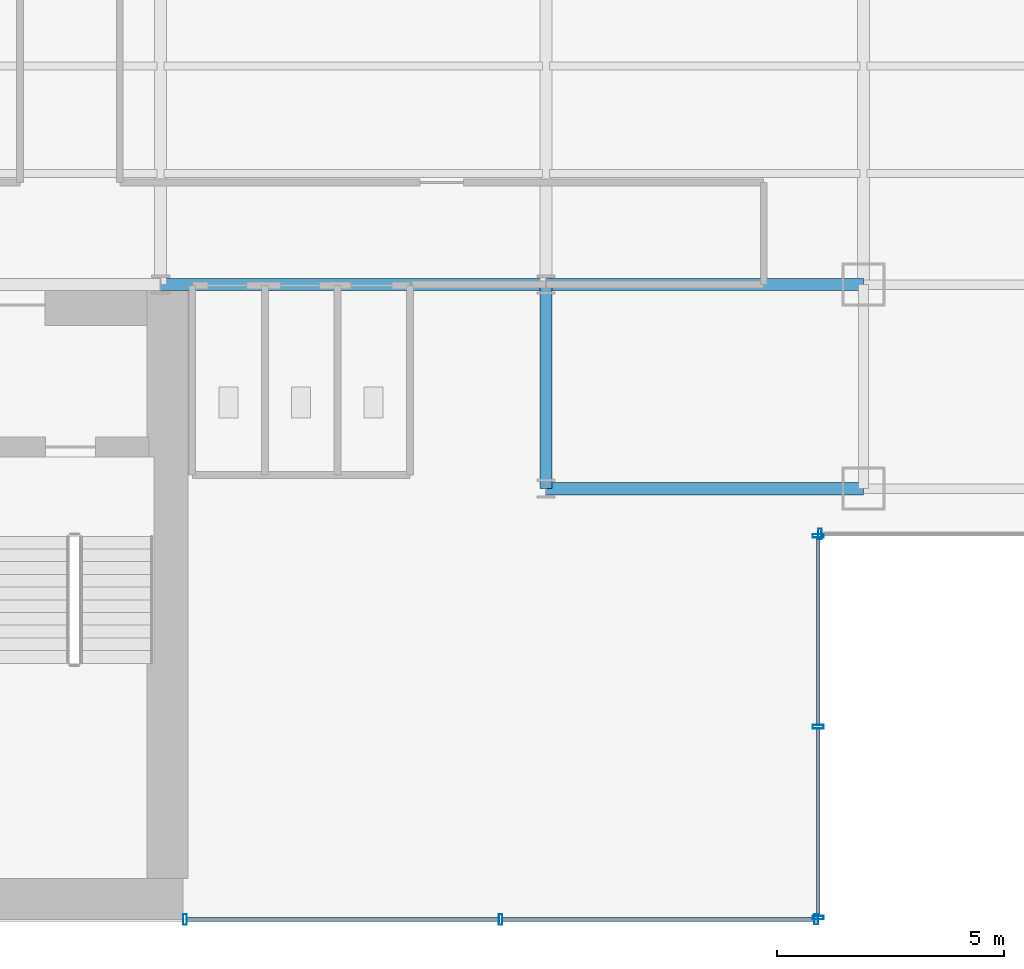
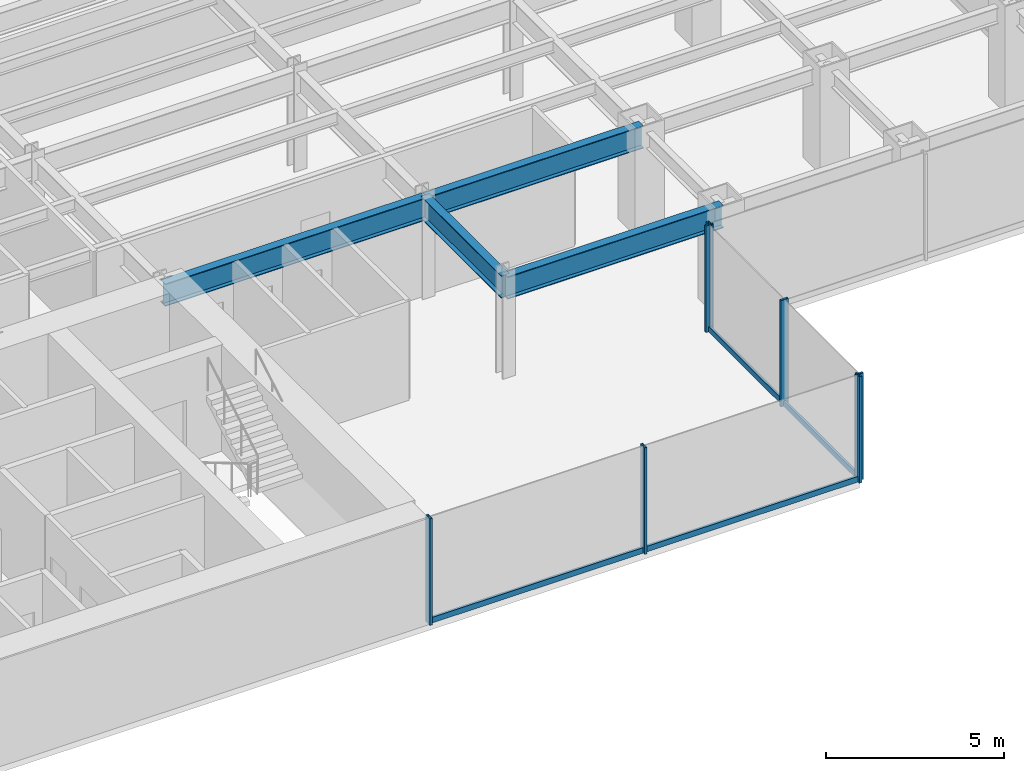
# One storey, part 6 of 23: 11 members, 4 beams, 3 elements without a shape of their own.
"""IFC4 building model written with IfcOpenShell, lengths in metres."""

import ifcopenshell
import ifcopenshell.guid

model = None  # the IFC model being written
_history = None  # IfcOwnerHistory: only IFC2X3 demands one
_inside = {}  # id of a spatial element -> (the spatial element, [elements in it])
_under = {}  # id of a project, library or spatial element -> (it, [spatial elements below it])
_declared = {}  # id of a project -> (the project, [libraries it declares])
_typed = {}  # id of a type object -> (the type object, [elements of that type])
_made_of = {}  # id of a material, layer set ... -> (it, [elements and type objects made of it])


def new_model(schema):
    """Start an empty IFC model of exactly this schema.

    Asked for "IFC4X3", IfcOpenShell would pick the latest addendum, in which some entities
    have other attributes; the version numbers below select the first issue.
    IFC2X3 requires an IfcOwnerHistory on every rooted entity: one is made here for all.
    """
    global model, _history
    if schema == "IFC4X3":
        model = ifcopenshell.file(schema_version=(4, 3, 0, 0))
    else:
        model = ifcopenshell.file(schema=schema)
    _inside.clear()
    _under.clear()
    _declared.clear()
    _typed.clear()
    _made_of.clear()
    _history = None
    if model.schema == "IFC2X3":
        org = make("IfcOrganization", Name="unknown")
        user = make(
            "IfcPersonAndOrganization",
            ThePerson=make("IfcPerson", FamilyName="unknown"),
            TheOrganization=org,
        )
        app = make(
            "IfcApplication",
            ApplicationDeveloper=org,
            Version="unknown",
            ApplicationFullName="unknown",
            ApplicationIdentifier="unknown",
        )
        _history = make(
            "IfcOwnerHistory",
            OwningUser=user,
            OwningApplication=app,
            ChangeAction="ADDED",
            CreationDate=0,
        )
    return model


def make(cls, **values):
    """One entity of the class cls with the attributes given. An attribute that is None is left unset."""
    return model.create_entity(
        cls, **{name: value for name, value in values.items() if value is not None}
    )


def rooted(cls, **values):
    """An entity with a GlobalId (a new one), such as an element, a storey or a relation."""
    return make(cls, GlobalId=ifcopenshell.guid.new(), OwnerHistory=_history, **values)


def si_unit(unit_type, name, prefix=None):
    """IfcSIUnit, for example si_unit("LENGTHUNIT", "METRE", prefix="MILLI")."""
    return make("IfcSIUnit", UnitType=unit_type, Prefix=prefix, Name=name)


def derived_unit(unit_type, elements):
    """IfcDerivedUnit: a product of units, each with its exponent."""
    return make(
        "IfcDerivedUnit",
        Elements=[
            make("IfcDerivedUnitElement", Unit=unit, Exponent=power)
            for unit, power in elements
        ],
        UnitType=unit_type,
    )


def assignment(units):
    """IfcUnitAssignment: the units of a project."""
    return None if units is None else make("IfcUnitAssignment", Units=units)


def point(xyz):
    """IfcCartesianPoint."""
    return None if xyz is None else make("IfcCartesianPoint", Coordinates=xyz)


def direction(xyz):
    """IfcDirection."""
    return None if xyz is None else make("IfcDirection", DirectionRatios=xyz)


def frame(location, z_axis=None, x_axis=None):
    """IfcAxis2Placement3D, a coordinate frame: its origin and axes. An axis left out is left unset."""
    return make(
        "IfcAxis2Placement3D",
        Location=point(location),
        Axis=direction(z_axis),
        RefDirection=direction(x_axis),
    )


def frame_2d(location, x_axis=None):
    """IfcAxis2Placement2D, a coordinate frame in the plane: its origin and x axis."""
    return make(
        "IfcAxis2Placement2D", Location=point(location), RefDirection=direction(x_axis)
    )


def origin():
    """The frame at (0, 0, 0) with its axes left unset."""
    return frame((0.0, 0.0, 0.0))


def origin_2d():
    """The frame at (0, 0) in the plane with its x axis left unset."""
    return frame_2d((0.0, 0.0))


def place(relative_to, where):
    """IfcLocalPlacement: puts the frame where relative to a parent placement (None: the world)."""
    return make(
        "IfcLocalPlacement", PlacementRelTo=relative_to, RelativePlacement=where
    )


def context(
    kind, dimensions, precision=None, world=None, true_north=None, identifier=None
):
    """IfcGeometricRepresentationContext, for example the 3D "Model" context."""
    return make(
        "IfcGeometricRepresentationContext",
        ContextIdentifier=identifier,
        ContextType=kind,
        CoordinateSpaceDimension=dimensions,
        Precision=precision,
        WorldCoordinateSystem=world,
        TrueNorth=true_north,
    )


def subcontext(parent, identifier, kind, view, scale=None):
    """IfcGeometricRepresentationSubContext, for example "Body" below "Model"."""
    return make(
        "IfcGeometricRepresentationSubContext",
        ContextIdentifier=identifier,
        ContextType=kind,
        ParentContext=parent,
        TargetScale=scale,
        TargetView=view,
    )


def project(units=None, contexts=None):
    """IfcProject with its units and contexts."""
    return rooted(
        "IfcProject",
        Name="project",
        RepresentationContexts=contexts,
        UnitsInContext=assignment(units),
    )


def spatial(cls, under=None, at=None, **own):
    """A site, building, storey or space (cls), placed at a placement, below another one or the project."""
    s = rooted(cls, ObjectPlacement=at, **own)
    if under is not None:
        _under.setdefault(under.id(), (under, []))[1].append(s)
    return s


def profile(cls, at=None, kind="AREA", **sizes):
    """A parametric profile (cls). Its sizes go by their IFC names, for example OverallWidth=200.0."""
    return make(cls, ProfileType=kind, Position=at, **sizes)


def hollow_rectangle(**sizes):
    """IfcRectangleHollowProfileDef."""
    return profile("IfcRectangleHollowProfileDef", **sizes)


def i_section(**sizes):
    """IfcIShapeProfileDef."""
    return profile("IfcIShapeProfileDef", **sizes)


def extrude(swept, where, along, depth):
    """IfcExtrudedAreaSolid: the profile swept, set in the frame where, extruded along a direction by depth."""
    return make(
        "IfcExtrudedAreaSolid",
        SweptArea=swept,
        Position=where,
        ExtrudedDirection=direction(along),
        Depth=depth,
    )


def shape(context_of_items, identifier, shape_type, items):
    """IfcShapeRepresentation: the items that make up one representation, for example the "Body"."""
    return make(
        "IfcShapeRepresentation",
        ContextOfItems=context_of_items,
        RepresentationIdentifier=identifier,
        RepresentationType=shape_type,
        Items=items,
    )


def source(mapping_origin, context_of_items, identifier, shape_type, items):
    """IfcRepresentationMap: a shape defined once, which mapped items show again and again."""
    return make(
        "IfcRepresentationMap",
        MappingOrigin=mapping_origin,
        MappedRepresentation=shape(context_of_items, identifier, shape_type, items),
    )


def transform(
    local_origin,
    x_axis=None,
    y_axis=None,
    z_axis=None,
    scale=None,
    scale2=None,
    scale3=None,
    uniform=True,
):
    """IfcCartesianTransformationOperator3D, or its non-uniform kind. x_axis, y_axis, z_axis: its Axis1, 2, 3."""
    if uniform:
        return make(
            "IfcCartesianTransformationOperator3D",
            Axis1=direction(x_axis),
            Axis2=direction(y_axis),
            LocalOrigin=point(local_origin),
            Scale=scale,
            Axis3=direction(z_axis),
        )
    return make(
        "IfcCartesianTransformationOperator3DnonUniform",
        Axis1=direction(x_axis),
        Axis2=direction(y_axis),
        LocalOrigin=point(local_origin),
        Scale=scale,
        Axis3=direction(z_axis),
        Scale2=scale2,
        Scale3=scale3,
    )


def mapped(mapping_source, mapping_target):
    """IfcMappedItem: shows the shape of a source again, moved by a transform."""
    return make(
        "IfcMappedItem", MappingSource=mapping_source, MappingTarget=mapping_target
    )


def material(Name=None, Category=None):
    """IfcMaterial."""
    return make("IfcMaterial", Name=Name, Category=Category)


def material_profile(
    of_material, cross_section, Name=None, Category=None, Priority=None
):
    """IfcMaterialProfile: a cross section and its material."""
    return make(
        "IfcMaterialProfile",
        Name=Name,
        Material=of_material,
        Profile=cross_section,
        Priority=Priority,
        Category=Category,
    )


def profile_set(profiles, Name=None, composite=None):
    """IfcMaterialProfileSet."""
    return make(
        "IfcMaterialProfileSet",
        Name=Name,
        MaterialProfiles=profiles,
        CompositeProfile=composite,
    )


def made_of(thing, what):
    """Note that an element or type object is made of a material, layer set ...; save() writes the relation."""
    if what is not None:
        _made_of.setdefault(what.id(), (what, []))[1].append(thing)
    return thing


def type_object(cls, material=None, **own):
    """A type object (cls), such as IfcWallType, which elements share."""
    return made_of(rooted(cls, **own), material)


def element(
    cls,
    number,
    at=None,
    inside=None,
    cuts=None,
    type_object=None,
    material=None,
    context=None,
    identifier="Body",
    shape_type=None,
    held_by="IfcProductDefinitionShape",
    body=None,
    shapes=None,
    **own,
):
    """One element of the class cls, such as IfcWall. Its Tag is "e" and its number.

    at: its placement. inside: the storey or other place that contains it. cuts: it is an
    opening in that element (IfcRelVoidsElement). A single representation is given by context,
    identifier, shape_type and body (its items); several are given by shapes. held_by: the class
    of the entity that holds the representations. save() writes the other relations.
    """
    e = rooted(cls, Tag="e%d" % number, ObjectPlacement=at, **own)
    if body is not None:
        shapes = [shape(context, identifier, shape_type, body)]
    if shapes is not None:
        e.Representation = make(held_by, Representations=shapes)
    if inside is not None:
        _inside.setdefault(inside.id(), (inside, []))[1].append(e)
    if cuts is not None:
        rooted(
            "IfcRelVoidsElement", RelatingBuildingElement=cuts, RelatedOpeningElement=e
        )
    if type_object is not None:
        _typed.setdefault(type_object.id(), (type_object, []))[1].append(e)
    return made_of(e, material)


def aggregate(whole, parts):
    """IfcRelAggregates: a whole, such as a stair, and the parts it consists of."""
    return rooted("IfcRelAggregates", RelatingObject=whole, RelatedObjects=parts)


def save(model, path):
    """Write the relations noted so far, then the file.

    IfcRelAggregates (storeys below a building ...), IfcRelContainedInSpatialStructure (elements
    in a storey), IfcRelDefinesByType, IfcRelAssociatesMaterial and IfcRelDeclares: one each for
    every whole, place, type object, material and project.
    """
    for whole, parts in _under.values():
        aggregate(whole, parts)
    for where, things in _inside.values():
        rooted(
            "IfcRelContainedInSpatialStructure",
            RelatedElements=things,
            RelatingStructure=where,
        )
    for kind, things in _typed.values():
        rooted("IfcRelDefinesByType", RelatedObjects=things, RelatingType=kind)
    for what, things in _made_of.values():
        rooted("IfcRelAssociatesMaterial", RelatedObjects=things, RelatingMaterial=what)
    for by, libraries in _declared.values():
        rooted("IfcRelDeclares", RelatingContext=by, RelatedDefinitions=libraries)
    model.write(path)


model = new_model("IFC4")

# Units and contexts
model_context = context("Model", 3, precision=1e-05, world=origin(), true_north=direction((0.0, 1.0)))
body_context = subcontext(model_context, "Body", "Model", "MODEL_VIEW")
ifc_project = project(units=[si_unit("LENGTHUNIT", "METRE"), si_unit("AREAUNIT", "SQUARE_METRE"), si_unit("VOLUMEUNIT", "CUBIC_METRE"), si_unit("PLANEANGLEUNIT", "RADIAN"), si_unit("MASSUNIT", "GRAM", prefix="KILO"), derived_unit("THERMALTRANSMITTANCEUNIT", [(si_unit("POWERUNIT", "WATT"), 1), (si_unit("LENGTHUNIT", "METRE"), -2), (si_unit("THERMODYNAMICTEMPERATUREUNIT", "KELVIN"), -1)])], contexts=[model_context])

# Site, building, storey
site_placement = place(None, origin())
site = spatial("IfcSite", under=ifc_project, at=site_placement, CompositionType="ELEMENT")
building_placement = place(site_placement, origin())
building = spatial("IfcBuilding", under=site, at=building_placement, Name="Skarnbrae Concourse Arena and Tower", CompositionType="ELEMENT")
storey_placement = place(building_placement, frame((0.0, 0.0, 43.449951171875)))
storey = spatial("IfcBuildingStorey", under=building, at=storey_placement, Name="L09", CompositionType="ELEMENT", Elevation=43.449951171875)

# Beams
ifc_material_1 = material(Name="Steel CSA G40.21 350W", Category="steel")
ifc_material_profile_1 = material_profile(ifc_material_1, i_section(OverallWidth=0.26806640625, OverallDepth=0.77001953125, WebThickness=0.015625, FlangeThickness=0.025390625, at=origin_2d()), Name="W760X196")
ifc_profile_set_1 = profile_set([ifc_material_profile_1], Name="Steel CSA G40.21 350W")
beam_type = type_object("IfcBeamType", Name="BM-GIRD-W760X196", PredefinedType="BEAM", material=ifc_profile_set_1)
shared_shape_1 = source(origin(), body_context, "Body", "SweptSolid", [
    extrude(i_section(OverallWidth=0.26806640625, OverallDepth=0.77001953125, WebThickness=0.015625, FlangeThickness=0.025390625, at=origin_2d()), origin(), (0.0, 0.0, 1.0), 7.0),
])
for number, where, z_axis, x_axis, name in (
    (1, (42.0, 9.5, 3.01513671875), (1.0, 0.0, 0.0), (0.0, 1.0, 0.0), "L09 Primary E-W girder Y9.5-2"),
    (2, (42.0, 14.0, 3.01513671875), (1.0, 0.0, 0.0), (0.0, 1.0, 0.0), "L09 Primary E-W girder Y14.0-7"),
):
    element("IfcBeam", number, at=place(storey_placement, frame(where, z_axis=z_axis, x_axis=x_axis)), inside=storey, type_object=beam_type, Name=name, PredefinedType="BEAM", context=body_context, shape_type="MappedRepresentation", body=[
        mapped(shared_shape_1, transform((0.0, 0.0, 0.0))),
    ])
shared_shape_2 = source(origin(), body_context, "Body", "SweptSolid", [
    extrude(i_section(OverallWidth=0.26806640625, OverallDepth=0.77001953125, WebThickness=0.015625, FlangeThickness=0.025390625, at=origin_2d()), origin(), (0.0, 0.0, 1.0), 8.5),
])
beam_1_placement = place(storey_placement, frame((33.5, 14.0, 3.01513671875), z_axis=(1.0, 0.0, 0.0), x_axis=(0.0, 1.0, 0.0)))
element("IfcBeam", 3, at=beam_1_placement, inside=storey, type_object=beam_type, Name="L09 Primary E-W girder Y14.0-6", PredefinedType="BEAM", context=body_context, shape_type="MappedRepresentation", body=[
    mapped(shared_shape_2, transform((0.0, 0.0, 0.0))),
])
shared_shape_3 = source(origin(), body_context, "Body", "SweptSolid", [
    extrude(i_section(OverallWidth=0.26806640625, OverallDepth=0.77001953125, WebThickness=0.015625, FlangeThickness=0.025390625, at=origin_2d()), origin(), (0.0, 0.0, 1.0), 4.5),
])
beam_2_placement = place(storey_placement, frame((42.0, 9.5, 3.01513671875), z_axis=(0.0, 1.0, 0.0), x_axis=(-1.0, 0.0, 0.0)))
element("IfcBeam", 4, at=beam_2_placement, inside=storey, type_object=beam_type, Name="L09 Primary N-S girder X42.0-1", PredefinedType="BEAM", context=body_context, shape_type="MappedRepresentation", body=[
    mapped(shared_shape_3, transform((0.0, 0.0, 0.0))),
])

# Curtain wall, members
ifc_material_2 = material(Name="Bronze anodised aluminium 6063-T6", Category="aluminium")
curtain_wall_type = type_object("IfcCurtainWallType", Name="CW-SYS-02-LOWZONE", PredefinedType="USERDEFINED", material=ifc_material_2)
curtain_wall_1_placement = place(storey_placement, origin())
curtain_wall_1 = element("IfcCurtainWall", 5, at=curtain_wall_1_placement, inside=storey, type_object=curtain_wall_type, Name="L09 Unitised curtain wall CW-L09-SE-SPINE", ObjectType="UNITISED CURTAIN WALL", PredefinedType="USERDEFINED")
ifc_material_profile_2 = material_profile(ifc_material_2, hollow_rectangle(XDim=0.080078125, YDim=0.18994140625, WallThickness=0.0048828125, at=origin_2d()), Name="ALU-TRAN-80X190")
ifc_profile_set_2 = profile_set([ifc_material_profile_2], Name="Bronze anodised aluminium 6063-T6")
member_type_1 = type_object("IfcMemberType", Name="CWT-CW-02", PredefinedType="USERDEFINED", material=ifc_profile_set_2)
shared_shape_4 = source(origin(), body_context, "Body", "SweptSolid", [
    extrude(hollow_rectangle(XDim=0.080078125, YDim=0.18994140625, WallThickness=0.0048828125, at=origin_2d()), origin(), (0.0, 0.0, 1.0), 6.8798828125),
])
member_1_placement = place(storey_placement, frame((34.080078125, 0.0, 0.094970703125), z_axis=(1.0, 0.0, 0.0), x_axis=(0.0, 1.0, 0.0)))
member_1 = element("IfcMember", 6, at=member_1_placement, type_object=member_type_1, Name="CW-L09-SE-SPINE Transom 1", ObjectType="TRANSOM", PredefinedType="USERDEFINED", context=body_context, shape_type="MappedRepresentation", body=[
    mapped(shared_shape_4, transform((0.0, 0.0, 0.0))),
])
member_2_placement = place(storey_placement, frame((41.0400390625, 0.0, 0.094970703125), z_axis=(1.0, 0.0, 0.0), x_axis=(0.0, 1.0, 0.0)))
member_2 = element("IfcMember", 7, at=member_2_placement, type_object=member_type_1, Name="CW-L09-SE-SPINE Transom 2", ObjectType="TRANSOM", PredefinedType="USERDEFINED", context=body_context, shape_type="MappedRepresentation", body=[
    mapped(shared_shape_4, transform((0.0, 0.0, 0.0))),
])

curtain_wall_2_placement = place(storey_placement, origin())
curtain_wall_2 = element("IfcCurtainWall", 8, at=curtain_wall_2_placement, inside=storey, type_object=curtain_wall_type, Name="L09 Unitised curtain wall CW-L09-E02", ObjectType="UNITISED CURTAIN WALL", PredefinedType="USERDEFINED")
shared_shape_5 = source(origin(), body_context, "Body", "SweptSolid", [
    extrude(hollow_rectangle(XDim=0.080078125, YDim=0.18994140625, WallThickness=0.0048828125, at=origin_2d()), origin(), (0.0, 0.0, 1.0), 4.1298828125),
])
member_3_placement = place(storey_placement, frame((48.0, 0.080078125, 0.094970703125), z_axis=(0.0, 1.0, 0.0), x_axis=(-1.0, 0.0, 0.0)))
member_3 = element("IfcMember", 9, at=member_3_placement, type_object=member_type_1, Name="CW-L09-E02 Transom 1", ObjectType="TRANSOM", PredefinedType="USERDEFINED", context=body_context, shape_type="MappedRepresentation", body=[
    mapped(shared_shape_5, transform((0.0, 0.0, 0.0))),
])
member_4_placement = place(storey_placement, frame((48.0, 4.2900390625, 0.094970703125), z_axis=(0.0, 1.0, 0.0), x_axis=(-1.0, 0.0, 0.0)))
member_4 = element("IfcMember", 10, at=member_4_placement, type_object=member_type_1, Name="CW-L09-E02 Transom 2", ObjectType="TRANSOM", PredefinedType="USERDEFINED", context=body_context, shape_type="MappedRepresentation", body=[
    mapped(shared_shape_5, transform((0.0, 0.0, 0.0))),
])

# Member
ifc_material_profile_3 = material_profile(ifc_material_2, hollow_rectangle(XDim=0.080078125, YDim=0.239990234375, WallThickness=0.0048828125, at=origin_2d()), Name="ALU-MULL-80X240")
ifc_profile_set_3 = profile_set([ifc_material_profile_3], Name="Bronze anodised aluminium 6063-T6")
member_type_2 = type_object("IfcMemberType", Name="CWM-CW-02", PredefinedType="MULLION", material=ifc_profile_set_3)
shared_shape_6 = source(origin(), body_context, "Body", "SweptSolid", [
    extrude(hollow_rectangle(XDim=0.080078125, YDim=0.239990234375, WallThickness=0.0048828125, at=origin_2d()), origin(), (0.0, 0.0, 1.0), 3.650146484375),
])
member_5_placement = place(storey_placement, frame((34.0400390625, 0.0, 0.0), z_axis=(0.0, 0.0, 1.0), x_axis=(1.0, 0.0, 0.0)))
member_5 = element("IfcMember", 11, at=member_5_placement, type_object=member_type_2, Name="CW-L09-SE-SPINE Mullion 1", PredefinedType="MULLION", context=body_context, shape_type="MappedRepresentation", body=[
    mapped(shared_shape_6, transform((0.0, 0.0, 0.0))),
])

member_6_placement = place(storey_placement, frame((41.0, 0.0, 0.0), z_axis=(0.0, 0.0, 1.0), x_axis=(1.0, 0.0, 0.0)))
member_6 = element("IfcMember", 12, at=member_6_placement, type_object=member_type_2, Name="CW-L09-SE-SPINE Mullion 2", PredefinedType="MULLION", context=body_context, shape_type="MappedRepresentation", body=[
    mapped(shared_shape_6, transform((0.0, 0.0, 0.0))),
])

member_7_placement = place(storey_placement, frame((47.9599609375, 0.0, 0.0), z_axis=(0.0, 0.0, 1.0), x_axis=(1.0, 0.0, 0.0)))
member_7 = element("IfcMember", 13, at=member_7_placement, type_object=member_type_2, Name="CW-L09-SE-SPINE Mullion 3", PredefinedType="MULLION", context=body_context, shape_type="MappedRepresentation", body=[
    mapped(shared_shape_6, transform((0.0, 0.0, 0.0))),
])

aggregate(curtain_wall_1, [member_5, member_6, member_7, member_1, member_2])

member_8_placement = place(storey_placement, frame((48.0, 0.0400390625, 0.0), z_axis=(0.0, 0.0, 1.0), x_axis=(0.0, 1.0, 0.0)))
member_8 = element("IfcMember", 14, at=member_8_placement, type_object=member_type_2, Name="CW-L09-E02 Mullion 1", PredefinedType="MULLION", context=body_context, shape_type="MappedRepresentation", body=[
    mapped(shared_shape_6, transform((0.0, 0.0, 0.0))),
])

member_9_placement = place(storey_placement, frame((48.0, 4.25, 0.0), z_axis=(0.0, 0.0, 1.0), x_axis=(0.0, 1.0, 0.0)))
member_9 = element("IfcMember", 15, at=member_9_placement, type_object=member_type_2, Name="CW-L09-E02 Mullion 2", PredefinedType="MULLION", context=body_context, shape_type="MappedRepresentation", body=[
    mapped(shared_shape_6, transform((0.0, 0.0, 0.0))),
])

member_10_placement = place(storey_placement, frame((48.0, 8.4599609375, 0.0), z_axis=(0.0, 0.0, 1.0), x_axis=(0.0, 1.0, 0.0)))
member_10 = element("IfcMember", 16, at=member_10_placement, type_object=member_type_2, Name="CW-L09-E02 Mullion 3", PredefinedType="MULLION", context=body_context, shape_type="MappedRepresentation", body=[
    mapped(shared_shape_6, transform((0.0, 0.0, 0.0))),
])

aggregate(curtain_wall_2, [member_8, member_9, member_10, member_3, member_4])

# Curtain wall, member
curtain_wall_3_placement = place(storey_placement, origin())
curtain_wall_3 = element("IfcCurtainWall", 17, at=curtain_wall_3_placement, inside=storey, type_object=curtain_wall_type, Name="L09 Unitised curtain wall CW-L09-E03", ObjectType="UNITISED CURTAIN WALL", PredefinedType="USERDEFINED")
member_11_placement = place(storey_placement, frame((48.0400390625, 8.5, 0.0), z_axis=(0.0, 0.0, 1.0), x_axis=(1.0, 0.0, 0.0)))
member_11 = element("IfcMember", 18, at=member_11_placement, type_object=member_type_2, Name="CW-L09-E03 Mullion 1", PredefinedType="MULLION", context=body_context, shape_type="MappedRepresentation", body=[
    mapped(shared_shape_6, transform((0.0, 0.0, 0.0))),
])
aggregate(curtain_wall_3, [member_11])

save(model, "model.ifc")
